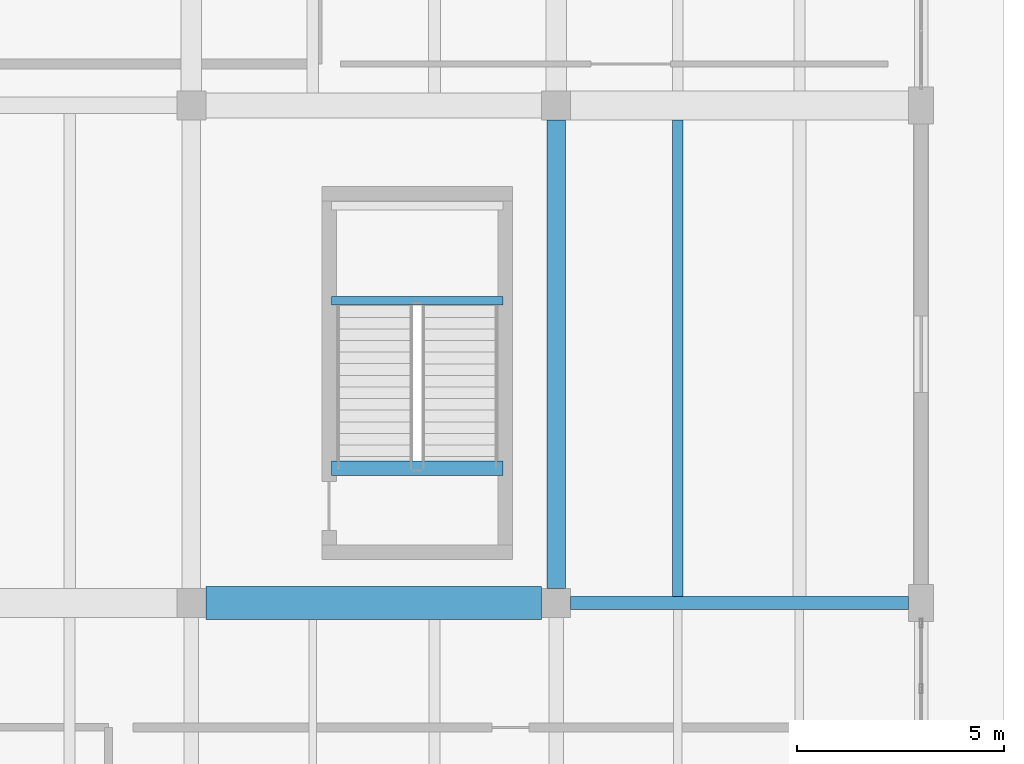
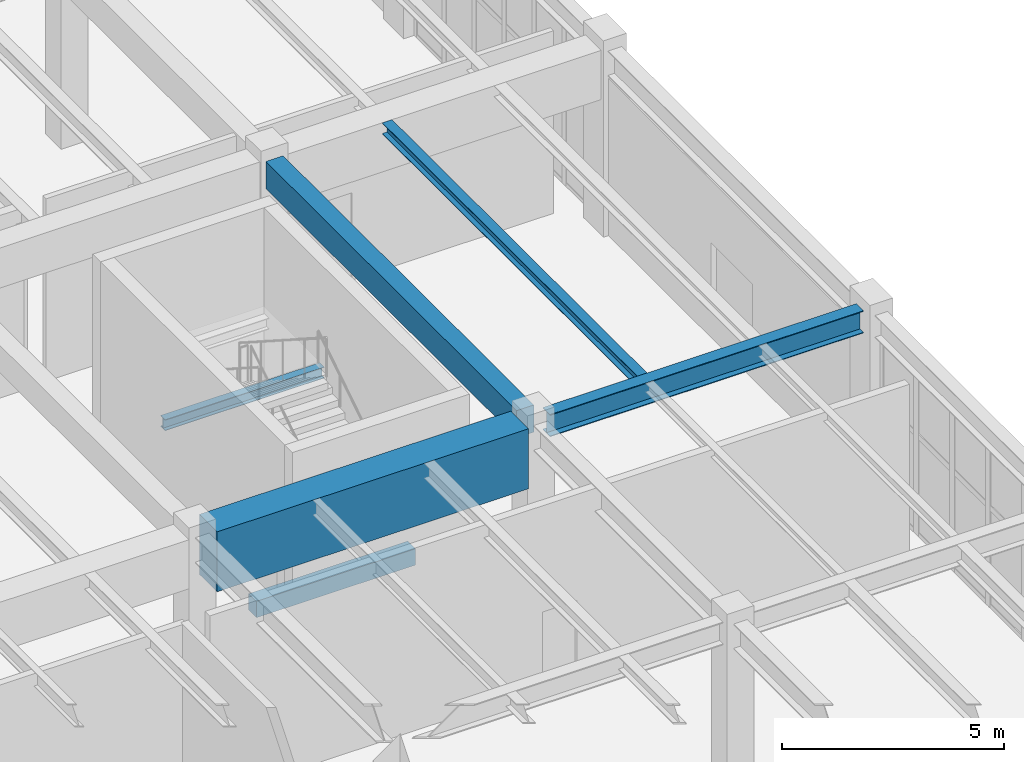
# One storey, part 53 of 91: 6 beams.
"""IFC4 building model written with IfcOpenShell, lengths in metres."""

from ifc_helpers import new_model, si_unit, direction, frame, origin, origin_2d, place, context, subcontext, project, spatial, rectangle, i_section, extrude, material, material_profile, profile_set, type_object, element, save


model = new_model("IFC4")

# Units and contexts
model_context = context("Model", 3, precision=1e-05, world=origin(), true_north=direction((0.0, 1.0)))
body_context = subcontext(model_context, "Body", "Model", "MODEL_VIEW")
ifc_project = project(units=[si_unit("LENGTHUNIT", "METRE"), si_unit("AREAUNIT", "SQUARE_METRE"), si_unit("VOLUMEUNIT", "CUBIC_METRE"), si_unit("PLANEANGLEUNIT", "RADIAN"), si_unit("MASSUNIT", "GRAM", prefix="KILO")], contexts=[model_context])

# Site, building, storey
site_placement = place(None, origin())
site = spatial("IfcSite", under=ifc_project, at=site_placement, CompositionType="ELEMENT")
building_placement = place(site_placement, origin())
building = spatial("IfcBuilding", under=site, at=building_placement, Name="Vaelkrest Opera House", CompositionType="ELEMENT")
storey_placement = place(building_placement, origin())
storey = spatial("IfcBuildingStorey", under=building, at=storey_placement, Name="L00", CompositionType="ELEMENT", Elevation=0.0)

# Beams
ifc_material_1 = material(Name="Concrete C50/60", Category="concrete")
ifc_material_profile_1 = material_profile(ifc_material_1, rectangle(XDim=0.449951171875, YDim=0.75, at=origin_2d()), Name="RCB450X750")
ifc_profile_set_1 = profile_set([ifc_material_profile_1], Name="Concrete C50/60")
beam_type_1 = type_object("IfcBeamType", Name="B02", PredefinedType="BEAM", material=ifc_profile_set_1)
beam_1_placement = place(storey_placement, frame((77.60009765625, -19.449951171875, 4.705078125), z_axis=(0.0, 1.0, 0.0), x_axis=(-1.0, 0.0, 0.0)))
element("IfcBeam", 1, at=beam_1_placement, inside=storey, type_object=beam_type_1, Name="Beam BM-V4-L00-2031", PredefinedType="BEAM", context=body_context, shape_type="SweptSolid", body=[
    extrude(rectangle(XDim=0.449951171875, YDim=0.75, at=origin_2d()), origin(), (0.0, 0.0, 1.0), 11.300048828125),
])
ifc_material_profile_2 = material_profile(ifc_material_1, rectangle(XDim=0.800048828125, YDim=1.64990234375, at=origin_2d()), Name="RCB800X1650")
ifc_profile_set_2 = profile_set([ifc_material_profile_2], Name="Concrete C50/60")
beam_type_2 = type_object("IfcBeamType", Name="B07", PredefinedType="BEAM", material=ifc_profile_set_2)
beam_2_placement = place(storey_placement, frame((69.14990234375, -19.800048828125, 4.2548828125), z_axis=(1.0, 0.0, 0.0), x_axis=(0.0, 1.0, 0.0)))
element("IfcBeam", 2, at=beam_2_placement, inside=storey, type_object=beam_type_2, Name="Beam BM-V4-L00-1960", PredefinedType="BEAM", context=body_context, shape_type="SweptSolid", body=[
    extrude(rectangle(XDim=0.800048828125, YDim=1.64990234375, at=origin_2d()), origin(), (0.0, 0.0, 1.0), 8.10009765625),
])
ifc_material_2 = material(Name="Steel A992 Gr50", Category="steel")
ifc_material_profile_3 = material_profile(ifc_material_2, i_section(OverallWidth=0.323974609375, OverallDepth=0.611083984375, WebThickness=0.0126953125, FlangeThickness=0.01904296875, at=origin_2d()), Name="W24X104")
ifc_profile_set_3 = profile_set([ifc_material_profile_3], Name="Steel A992 Gr50")
beam_type_3 = type_object("IfcBeamType", Name="B08", PredefinedType="BEAM", material=ifc_profile_set_3)
beam_3_placement = place(storey_placement, frame((77.949951171875, -19.800048828125, 4.7744140625), z_axis=(1.0, 0.0, 0.0), x_axis=(0.0, 1.0, 0.0)))
element("IfcBeam", 3, at=beam_3_placement, inside=storey, type_object=beam_type_3, Name="Beam BM-V4-L00-1961", PredefinedType="BEAM", context=body_context, shape_type="SweptSolid", body=[
    extrude(i_section(OverallWidth=0.323974609375, OverallDepth=0.611083984375, WebThickness=0.0126953125, FlangeThickness=0.01904296875, at=origin_2d()), origin(), (0.0, 0.0, 1.0), 8.150146484375),
])
ifc_material_profile_4 = material_profile(ifc_material_2, i_section(OverallWidth=0.202880859375, OverallDepth=0.302978515625, WebThickness=0.007568359375, FlangeThickness=0.01318359375, at=origin_2d()), Name="W12X40")
ifc_profile_set_4 = profile_set([ifc_material_profile_4], Name="Steel A992 Gr50")
beam_type_4 = type_object("IfcBeamType", Name="J02", PredefinedType="JOIST", material=ifc_profile_set_4)
beam_4_placement = place(storey_placement, frame((72.179931640625, -12.510009765625, 2.348388671875), z_axis=(1.0, 0.0, 0.0), x_axis=(0.0, 1.0, 0.0)))
element("IfcBeam", 4, at=beam_4_placement, inside=storey, type_object=beam_type_4, Name="Stair landing bearer beam ST10 L00-1N", PredefinedType="JOIST", context=body_context, shape_type="SweptSolid", body=[
    extrude(i_section(OverallWidth=0.202880859375, OverallDepth=0.302978515625, WebThickness=0.007568359375, FlangeThickness=0.01318359375, at=origin_2d()), origin(), (0.0, 0.0, 1.0), 4.14013671875),
])
ifc_material_profile_5 = material_profile(ifc_material_2, i_section(OverallWidth=0.25390625, OverallDepth=0.305908203125, WebThickness=0.0087890625, FlangeThickness=0.0146484375, at=origin_2d()), Name="W12X53")
ifc_profile_set_5 = profile_set([ifc_material_profile_5], Name="Steel A992 Gr50")
beam_type_5 = type_object("IfcBeamType", Name="J03", PredefinedType="JOIST", material=ifc_profile_set_5)
beam_5_placement = place(storey_placement, frame((80.532958984375, -19.637939453125, 4.927001953125), z_axis=(0.0, 1.0, 0.0), x_axis=(-1.0, 0.0, 0.0)))
element("IfcBeam", 5, at=beam_5_placement, inside=storey, type_object=beam_type_5, Name="Floor joist JST-V4-L00-2103", PredefinedType="JOIST", context=body_context, shape_type="SweptSolid", body=[
    extrude(i_section(OverallWidth=0.25390625, OverallDepth=0.305908203125, WebThickness=0.0087890625, FlangeThickness=0.0146484375, at=origin_2d()), origin(), (0.0, 0.0, 1.0), 11.488037109375),
])
ifc_material_profile_6 = material_profile(ifc_material_1, rectangle(XDim=0.35009765625, YDim=0.449951171875, at=origin_2d()), Name="RCB350X450")
ifc_profile_set_6 = profile_set([ifc_material_profile_6], Name="Concrete C50/60")
beam_type_6 = type_object("IfcBeamType", Name="LN01", PredefinedType="LINTEL", material=ifc_profile_set_6)
beam_6_placement = place(storey_placement, frame((72.179931640625, -16.550048828125, -0.22509765625), z_axis=(1.0, 0.0, 0.0), x_axis=(0.0, 1.0, 0.0)))
element("IfcBeam", 6, at=beam_6_placement, inside=storey, type_object=beam_type_6, Name="Stairwell trimmer beam ST10 L00", PredefinedType="LINTEL", context=body_context, shape_type="SweptSolid", body=[
    extrude(rectangle(XDim=0.35009765625, YDim=0.449951171875, at=origin_2d()), origin(), (0.0, 0.0, 1.0), 4.14013671875),
])

save(model, "model.ifc")
